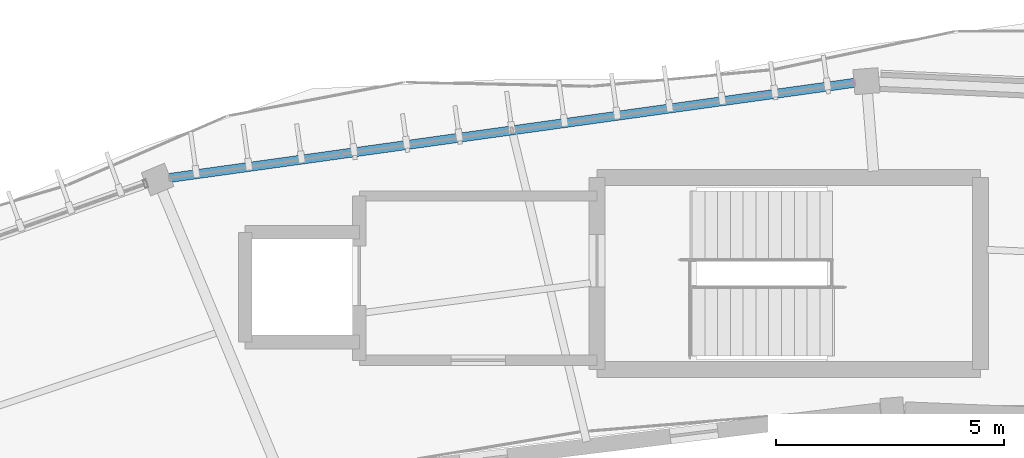
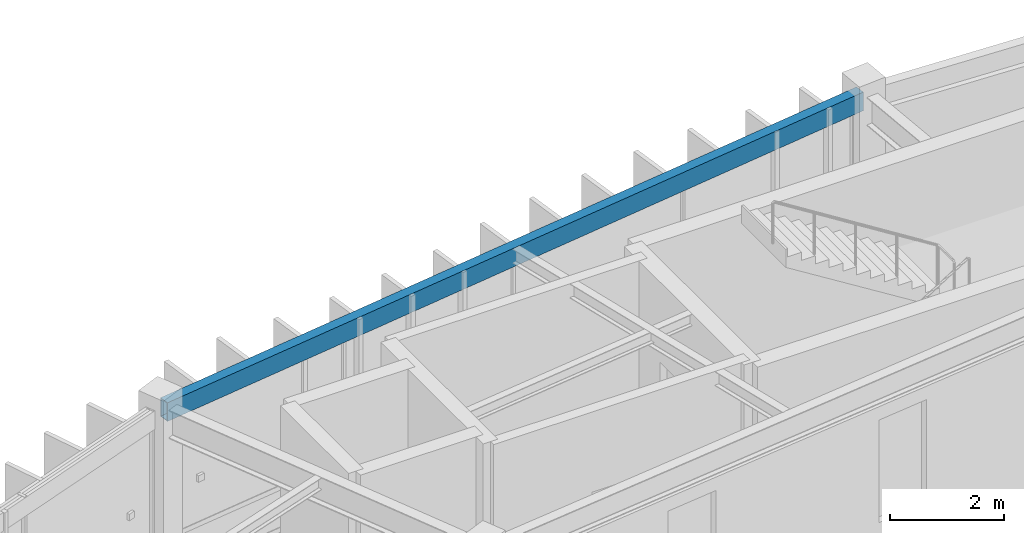
# One storey, part 36 of 79: 1 beam.
"""IFC4 building model written with IfcOpenShell, lengths in metres."""

from ifc_helpers import new_model, si_unit, direction, frame, origin, origin_2d, place, context, subcontext, project, spatial, hollow_rectangle, extrude, material, material_profile, profile_set, type_object, element, save


model = new_model("IFC4")

# Units and contexts
model_context = context("Model", 3, precision=1e-05, world=origin(), true_north=direction((0.0, 1.0)))
body_context = subcontext(model_context, "Body", "Model", "MODEL_VIEW")
ifc_project = project(units=[si_unit("LENGTHUNIT", "METRE"), si_unit("AREAUNIT", "SQUARE_METRE"), si_unit("VOLUMEUNIT", "CUBIC_METRE"), si_unit("PLANEANGLEUNIT", "RADIAN"), si_unit("MASSUNIT", "GRAM", prefix="KILO"), si_unit("THERMODYNAMICTEMPERATUREUNIT", "KELVIN"), si_unit("POWERUNIT", "WATT")], contexts=[model_context])

# Site, building, storey
site_placement = place(None, origin())
site = spatial("IfcSite", under=ifc_project, at=site_placement, CompositionType="ELEMENT")
building_placement = place(site_placement, origin())
building = spatial("IfcBuilding", under=site, at=building_placement, Name="Darbajah Civic Hall", CompositionType="ELEMENT")
storey_placement = place(building_placement, frame((0.0, 0.0, 22.199951171875)))
storey = spatial("IfcBuildingStorey", under=building, at=storey_placement, Name="L05", CompositionType="ELEMENT", Elevation=22.199951171875)

# Beam
ifc_material = material(Name="Steel S355JR", Category="steel")
ifc_material_profile = material_profile(ifc_material, hollow_rectangle(XDim=0.199951171875, YDim=0.39990234375, WallThickness=0.013916015625, at=origin_2d()), Name="RHS 400x200x14")
ifc_profile_set = profile_set([ifc_material_profile], Name="Steel S355JR")
beam_type = type_object("IfcBeamType", Name="RHS 400x200x14", PredefinedType="SPANDREL", material=ifc_profile_set)
beam_placement = place(storey_placement, frame((85.019287109375, 119.197998046875, 3.719970703125), z_axis=(-0.990495253006, -0.137546914804, 0.0), x_axis=(0.137546914804, -0.990495253006, 0.0)))
element("IfcBeam", 1, at=beam_placement, inside=storey, type_object=beam_type, Name="L05 beam SP-RHS400", PredefinedType="SPANDREL", context=body_context, shape_type="SweptSolid", body=[
    extrude(hollow_rectangle(XDim=0.199951171875, YDim=0.39990234375, WallThickness=0.013916015625, at=origin_2d()), origin(), (0.0, 0.0, 1.0), 15.50439453125),
])

save(model, "model.ifc")
